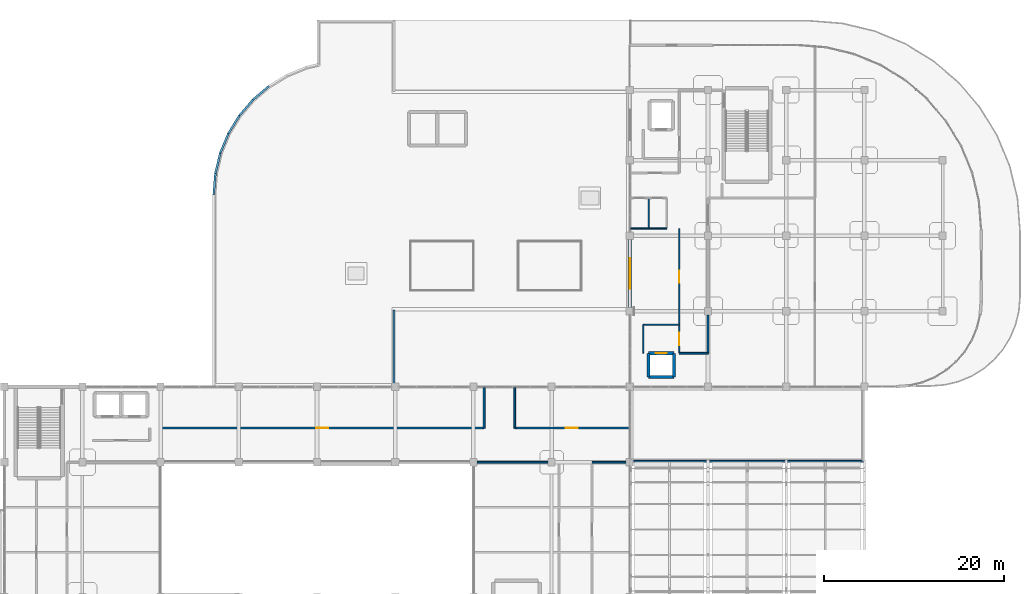
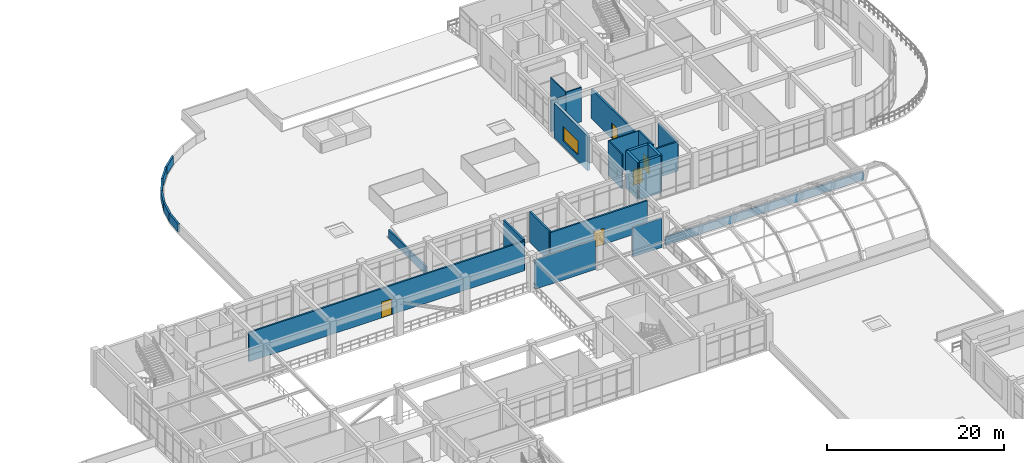
# One storey, part 108 of 124: 28 walls, 5 doors, 1 window, 6 openings.
"""IFC4 building model written with IfcOpenShell, lengths in metres."""

from ifc_helpers import new_model, si_unit, derived_unit, direction, frame, frame_2d, origin, place, context, subcontext, project, spatial, rectangle, extrude, material, layer, layer_set, type_object, element, fill, save


model = new_model("IFC4")

# Units and contexts
model_context = context("Model", 3, precision=1e-05, world=origin(), true_north=direction((0.0, 1.0)))
body_context = subcontext(model_context, "Body", "Model", "MODEL_VIEW")
ifc_project = project(units=[si_unit("LENGTHUNIT", "METRE"), si_unit("AREAUNIT", "SQUARE_METRE"), si_unit("VOLUMEUNIT", "CUBIC_METRE"), si_unit("PLANEANGLEUNIT", "RADIAN"), si_unit("MASSUNIT", "GRAM", prefix="KILO"), derived_unit("THERMALTRANSMITTANCEUNIT", [(si_unit("MASSUNIT", "GRAM", prefix="KILO"), 1), (si_unit("TIMEUNIT", "SECOND"), -3), (si_unit("THERMODYNAMICTEMPERATUREUNIT", "KELVIN"), -1)])], contexts=[model_context])

# Site, building, storey
site_placement = place(None, origin())
site = spatial("IfcSite", under=ifc_project, at=site_placement, CompositionType="ELEMENT")
building_placement = place(site_placement, origin())
building = spatial("IfcBuilding", under=site, at=building_placement, Name="Qinzheling Arcade Emporium", CompositionType="ELEMENT")
storey_placement = place(building_placement, frame((0.0, 0.0, 16.5)))
storey = spatial("IfcBuildingStorey", under=building, at=storey_placement, Name="L04", CompositionType="ELEMENT", Elevation=16.5)

# Wall, opening, door
ifc_material_1 = material(Name="Double-stud acoustic gypsum board partition")
ifc_layer_1 = layer(ifc_material_1, 0.215087890625, Name="Double-stud acoustic gypsum board partition")
ifc_layer_set_1 = layer_set([ifc_layer_1], Name="Double-stud acoustic gypsum board partition")
wall_type_1 = type_object("IfcWallType", Name="Acoustic Corridor Partition Wall 215", PredefinedType="PARTITIONING", material=ifc_layer_set_1)
wall_1_placement = place(storey_placement, frame((109.89990234375, 80.699951171875, 0.0), z_axis=(0.0, 0.0, 1.0), x_axis=(0.0, -1.0, 0.0)))
wall_1 = element("IfcWall", 1, at=wall_1_placement, inside=storey, type_object=wall_type_1, Name="Interior Wall WL-L04-INT-0604", PredefinedType="PARTITIONING", context=body_context, shape_type="SweptSolid", body=[
    extrude(rectangle(XDim=3.169921875, YDim=0.215087890625, at=frame_2d((1.5849609375, 0.0))), origin(), (0.0, 0.0, 1.0), 4.760009765625),
])
opening_1_placement = place(wall_1_placement, frame((0.909912109375, 0.0, 0.0)))
opening_1 = element("IfcOpeningElement", 2, at=opening_1_placement, cuts=wall_1, Name="Opening FD05", PredefinedType="OPENING", context=body_context, shape_type="SweptSolid", body=[
    extrude(rectangle(XDim=1.35009765625, YDim=2.199951171875, at=frame_2d((0.675048828125, 1.10009765625))), frame((0.0, 0.11767578125, 0.0), z_axis=(0.0, -1.0, 0.0), x_axis=(1.0, 0.0, 0.0)), (0.0, 0.0, 1.0), 0.235107421875),
])
ifc_material_2 = material(Name="Class B fire-rated stainless-clad door")
door_type_1 = type_object("IfcDoorType", Name="Kitchen Fire-Rated Service Door 1350x2200", OperationType="NOTDEFINED", PredefinedType="DOOR", material=ifc_material_2)
door_1_placement = place(opening_1_placement, origin())
door_1 = element("IfcDoor", 3, at=door_1_placement, inside=storey, type_object=door_type_1, Name="FD05 Interior Door DR-L04-INT-0169", OperationType="SINGLE_SWING_RIGHT", OverallHeight=2.199951171875, OverallWidth=1.35009765625, PredefinedType="DOOR", context=body_context, shape_type="SweptSolid", body=[
    extrude(rectangle(XDim=1.35009765625, YDim=2.199951171875, at=frame_2d((0.675048828125, 1.10009765625))), frame((0.0, 0.02490234375, 0.0), z_axis=(0.0, -1.0, 0.0), x_axis=(1.0, 0.0, 0.0)), (0.0, 0.0, 1.0), 0.050048828125),
])
fill(opening_1, door_1)

# Walls
wall_2_placement = place(storey_placement, frame((113.10009765625, 81.7900390625, 0.0), z_axis=(0.0, 0.0, 1.0), x_axis=(0.0, -1.0, 0.0)))
element("IfcWall", 4, at=wall_2_placement, inside=storey, type_object=wall_type_1, Name="Interior Wall WL-L04-INT-0629", PredefinedType="PARTITIONING", context=body_context, shape_type="SweptSolid", body=[
    extrude(rectangle(XDim=4.260009765625, YDim=0.215087890625, at=frame_2d((2.1298828125, 0.0))), origin(), (0.0, 0.0, 1.0), 4.074951171875),
])
wall_3_placement = place(storey_placement, frame((113.10009765625, 77.530029296875, 0.0), z_axis=(0.0, 0.0, 1.0), x_axis=(-1.0, 0.0, 0.0)))
element("IfcWall", 5, at=wall_3_placement, inside=storey, type_object=wall_type_1, Name="Interior Wall WL-L04-INT-0630", PredefinedType="PARTITIONING", context=body_context, shape_type="SweptSolid", body=[
    extrude(rectangle(XDim=3.2001953125, YDim=0.215087890625, at=frame_2d((1.60009765625, 0.0))), origin(), (0.0, 0.0, 1.0), 4.074951171875),
])

# Wall, opening, door
wall_4_placement = place(storey_placement, frame((109.89990234375, 80.699951171875, 0.0), z_axis=(0.0, 0.0, 1.0), x_axis=(0.0, 1.0, 0.0)))
wall_4 = element("IfcWall", 6, at=wall_4_placement, inside=storey, type_object=wall_type_1, Name="Interior Wall WL-L04-INT-0631", PredefinedType="PARTITIONING", context=body_context, shape_type="SweptSolid", body=[
    extrude(rectangle(XDim=10.699951171875, YDim=0.215087890625, at=frame_2d((5.35009765625, 0.0))), origin(), (0.0, 0.0, 1.0), 4.074951171875),
])
opening_2_placement = place(wall_4_placement, frame((4.675048828125, 0.0, 0.0)))
opening_2 = element("IfcOpeningElement", 7, at=opening_2_placement, cuts=wall_4, Name="Opening FD05", PredefinedType="OPENING", context=body_context, shape_type="SweptSolid", body=[
    extrude(rectangle(XDim=1.35009765625, YDim=2.199951171875, at=frame_2d((0.675048828125, 1.10009765625))), frame((0.0, 0.11767578125, 0.0), z_axis=(0.0, -1.0, 0.0), x_axis=(1.0, 0.0, 0.0)), (0.0, 0.0, 1.0), 0.235107421875),
])
door_2_placement = place(opening_2_placement, origin())
door_2 = element("IfcDoor", 8, at=door_2_placement, inside=storey, type_object=door_type_1, Name="FD05 Interior Door DR-L04-INT-0190", OperationType="SINGLE_SWING_LEFT", OverallHeight=2.199951171875, OverallWidth=1.35009765625, PredefinedType="DOOR", context=body_context, shape_type="SweptSolid", body=[
    extrude(rectangle(XDim=1.35009765625, YDim=2.199951171875, at=frame_2d((0.675048828125, 1.10009765625))), frame((0.0, 0.02490234375, 0.0), z_axis=(0.0, -1.0, 0.0), x_axis=(1.0, 0.0, 0.0)), (0.0, 0.0, 1.0), 0.050048828125),
])
fill(opening_2, door_2)

# Wall
wall_5_placement = place(storey_placement, frame((91.60009765625, 73.699951171875, 0.0), z_axis=(0.0, 0.0, 1.0), x_axis=(0.0, -1.0, 0.0)))
element("IfcWall", 9, at=wall_5_placement, inside=storey, type_object=wall_type_1, Name="Interior Wall WL-L04-INT-0664", PredefinedType="PARTITIONING", context=body_context, shape_type="SweptSolid", body=[
    extrude(rectangle(XDim=4.5, YDim=0.215087890625, at=frame_2d((2.25, 0.0))), origin(), (0.0, 0.0, 1.0), 4.260009765625),
])

# Wall, opening, door
wall_6_placement = place(storey_placement, frame((91.60009765625, 69.199951171875, 0.0), z_axis=(0.0, 0.0, 1.0), x_axis=(1.0, 0.0, 0.0)))
wall_6 = element("IfcWall", 10, at=wall_6_placement, inside=storey, type_object=wall_type_1, Name="Interior Wall WL-L04-INT-0665", PredefinedType="PARTITIONING", context=body_context, shape_type="SweptSolid", body=[
    extrude(rectangle(XDim=12.699951171875, YDim=0.215087890625, at=frame_2d((6.35009765625, 0.0))), origin(), (0.0, 0.0, 1.0), 4.06005859375),
])
opening_3_placement = place(wall_6_placement, frame((5.675048828125, 0.0, 0.0)))
opening_3 = element("IfcOpeningElement", 11, at=opening_3_placement, cuts=wall_6, Name="Opening FD05", PredefinedType="OPENING", context=body_context, shape_type="SweptSolid", body=[
    extrude(rectangle(XDim=1.35009765625, YDim=2.199951171875, at=frame_2d((0.675048828125, 1.10009765625))), frame((0.0, 0.11767578125, 0.0), z_axis=(0.0, -1.0, 0.0), x_axis=(1.0, 0.0, 0.0)), (0.0, 0.0, 1.0), 0.235107421875),
])
door_3_placement = place(opening_3_placement, origin())
door_3 = element("IfcDoor", 12, at=door_3_placement, inside=storey, type_object=door_type_1, Name="FD05 Interior Door DR-L04-INT-0184", OperationType="SINGLE_SWING_LEFT", OverallHeight=2.199951171875, OverallWidth=1.35009765625, PredefinedType="DOOR", context=body_context, shape_type="SweptSolid", body=[
    extrude(rectangle(XDim=1.35009765625, YDim=2.199951171875, at=frame_2d((0.675048828125, 1.10009765625))), frame((0.0, 0.02490234375, 0.0), z_axis=(0.0, -1.0, 0.0), x_axis=(1.0, 0.0, 0.0)), (0.0, 0.0, 1.0), 0.050048828125),
])
fill(opening_3, door_3)

wall_7_placement = place(storey_placement, frame((52.199951171875, 69.199951171875, 0.0), z_axis=(0.0, 0.0, 1.0), x_axis=(1.0, 0.0, 0.0)))
wall_7 = element("IfcWall", 13, at=wall_7_placement, inside=storey, type_object=wall_type_1, Name="Interior Wall WL-L04-INT-0666", PredefinedType="PARTITIONING", context=body_context, shape_type="SweptSolid", body=[
    extrude(rectangle(XDim=36.0, YDim=0.215087890625, at=frame_2d((18.0, 0.0))), origin(), (0.0, 0.0, 1.0), 4.06005859375),
])
opening_4_placement = place(wall_7_placement, frame((17.324951171875, 0.0, 0.0)))
opening_4 = element("IfcOpeningElement", 14, at=opening_4_placement, cuts=wall_7, Name="Opening FD05", PredefinedType="OPENING", context=body_context, shape_type="SweptSolid", body=[
    extrude(rectangle(XDim=1.35009765625, YDim=2.199951171875, at=frame_2d((0.675048828125, 1.10009765625))), frame((0.0, 0.11767578125, 0.0), z_axis=(0.0, -1.0, 0.0), x_axis=(1.0, 0.0, 0.0)), (0.0, 0.0, 1.0), 0.235107421875),
])
door_4_placement = place(opening_4_placement, origin())
door_4 = element("IfcDoor", 15, at=door_4_placement, inside=storey, type_object=door_type_1, Name="FD05 Interior Door DR-L04-INT-0185", OperationType="SINGLE_SWING_RIGHT", OverallHeight=2.199951171875, OverallWidth=1.35009765625, PredefinedType="DOOR", context=body_context, shape_type="SweptSolid", body=[
    extrude(rectangle(XDim=1.35009765625, YDim=2.199951171875, at=frame_2d((0.675048828125, 1.10009765625))), frame((0.0, 0.02490234375, 0.0), z_axis=(0.0, -1.0, 0.0), x_axis=(1.0, 0.0, 0.0)), (0.0, 0.0, 1.0), 0.050048828125),
])
fill(opening_4, door_4)

# Walls
wall_8_placement = place(storey_placement, frame((88.199951171875, 69.199951171875, 0.0), z_axis=(0.0, 0.0, 1.0), x_axis=(0.0, 1.0, 0.0)))
element("IfcWall", 16, at=wall_8_placement, inside=storey, type_object=wall_type_1, Name="Interior Wall WL-L04-INT-0667", PredefinedType="PARTITIONING", context=body_context, shape_type="SweptSolid", body=[
    extrude(rectangle(XDim=4.5, YDim=0.215087890625, at=frame_2d((2.25, 0.0))), origin(), (0.0, 0.0, 1.0), 4.260009765625),
])
wall_9_placement = place(storey_placement, frame((103.989990234375, 65.39990234375, 0.0), z_axis=(0.0, 0.0, 1.0), x_axis=(-1.0, 0.0, 0.0)))
element("IfcWall", 17, at=wall_9_placement, inside=storey, type_object=wall_type_1, Name="Interior Wall WL-L04-INT-0668", PredefinedType="PARTITIONING", context=body_context, shape_type="SweptSolid", body=[
    extrude(rectangle(XDim=3.7900390625, YDim=0.215087890625, at=frame_2d((1.89501953125, 0.0))), origin(), (0.0, 0.0, 1.0), 4.06005859375),
])
wall_10_placement = place(storey_placement, frame((95.2900390625, 65.39990234375, 0.0), z_axis=(0.0, 0.0, 1.0), x_axis=(-1.0, 0.0, 0.0)))
element("IfcWall", 18, at=wall_10_placement, inside=storey, type_object=wall_type_1, Name="Interior Wall WL-L04-INT-0673", PredefinedType="PARTITIONING", context=body_context, shape_type="SweptSolid", body=[
    extrude(rectangle(XDim=7.880126953125, YDim=0.215087890625, at=frame_2d((3.93994140625, 0.0))), origin(), (0.0, 0.0, 1.0), 4.06005859375),
])
ifc_material_3 = material(Name="Galvanised stud back-of-house partition")
ifc_layer_2 = layer(ifc_material_3, 0.1201171875, Name="Galvanised stud back-of-house partition")
ifc_layer_set_2 = layer_set([ifc_layer_2], Name="Galvanised stud back-of-house partition")
wall_type_2 = type_object("IfcWallType", Name="Back-of-House Partition Wall 120", PredefinedType="PARTITIONING", material=ifc_layer_set_2)
wall_11_placement = place(storey_placement, frame((105.89990234375, 80.699951171875, 0.0), z_axis=(0.0, 0.0, 1.0), x_axis=(1.0, 0.0, 0.0)))
element("IfcWall", 19, at=wall_11_placement, inside=storey, type_object=wall_type_2, Name="Interior Wall WL-L04-INT-0606", PredefinedType="PARTITIONING", context=body_context, shape_type="SweptSolid", body=[
    extrude(rectangle(XDim=4.0, YDim=0.1201171875, at=frame_2d((2.0, 0.0))), origin(), (0.0, 0.0, 1.0), 4.760009765625),
])

# Wall, opening, window
ifc_material_4 = material(Name="Fluted granite ashlar on Concrete C40", Category="masonry")
ifc_layer_3 = layer(ifc_material_4, 0.35009765625, Name="Fluted granite ashlar on Concrete C40", Category="masonry")
ifc_layer_set_3 = layer_set([ifc_layer_3], Name="Fluted granite ashlar on Concrete C40")
wall_type_3 = type_object("IfcWallType", Name="Fluted Granite Logistics Wall 350", PredefinedType="STANDARD", material=ifc_layer_set_3)
wall_12_placement = place(storey_placement, frame((104.39990234375, 82.60205078125, 0.0), z_axis=(0.0, 0.0, 1.0), x_axis=(0.0, 1.0, 0.0)))
wall_12 = element("IfcWall", 20, at=wall_12_placement, inside=storey, type_object=wall_type_3, Name="Exterior Wall WL-L04-EW-0240", PredefinedType="STANDARD", context=body_context, shape_type="SweptSolid", body=[
    extrude(rectangle(XDim=7.595947265625, YDim=0.35009765625, at=frame_2d((3.7978515625, 0.0))), origin(), (0.0, 0.0, 1.0), 4.7900390625),
])
opening_5_placement = place(wall_12_placement, frame((2.097900390625, 0.0, 0.85009765625)))
opening_5 = element("IfcOpeningElement", 21, at=opening_5_placement, cuts=wall_12, Name="Opening WN32", PredefinedType="OPENING", context=body_context, shape_type="SweptSolid", body=[
    extrude(rectangle(XDim=3.39990234375, YDim=2.0, at=frame_2d((1.699951171875, 1.0))), frame((0.0, 0.18505859375, 0.0), z_axis=(0.0, -1.0, 0.0), x_axis=(1.0, 0.0, 0.0)), (0.0, 0.0, 1.0), 0.3701171875),
])
ifc_material_5 = material(Name="Thermally broken aluminium frame with solar-control double glazing", Category="aluminium")
window_type = type_object("IfcWindowType", Name="Chicago Tripartite Window 3400x2000", PartitioningType="TRIPLE_PANEL_VERTICAL", PredefinedType="WINDOW", material=ifc_material_5)
window_placement = place(opening_5_placement, origin())
window = element("IfcWindow", 22, at=window_placement, inside=storey, type_object=window_type, Name="WN32 Window WN-L04-0063", OverallHeight=2.0, OverallWidth=3.39990234375, PartitioningType="TRIPLE_PANEL_VERTICAL", PredefinedType="WINDOW", context=body_context, shape_type="SweptSolid", body=[
    extrude(rectangle(XDim=3.39990234375, YDim=2.0, at=frame_2d((1.699951171875, 1.0))), frame((0.0, 0.030029296875, 0.0), z_axis=(0.0, -1.0, 0.0), x_axis=(1.0, 0.0, 0.0)), (0.0, 0.0, 1.0), 0.06005859375),
])
fill(opening_5, window)

# Walls
ifc_material_6 = material(Name="Precast concrete C40", Category="concrete")
ifc_layer_4 = layer(ifc_material_6, 0.22998046875, Name="Precast concrete C40", Category="concrete")
ifc_layer_set_4 = layer_set([ifc_layer_4], Name="Precast concrete C40")
wall_type_4 = type_object("IfcWallType", Name="Logistics Acoustic Roof Parapet 230", PredefinedType="PARAPET", material=ifc_layer_set_4)
wall_13_placement = place(storey_placement, frame((58.114990234375, 95.195068359375, 0.0), z_axis=(0.0, 0.0, 1.0), x_axis=(0.078626124202, 0.996904174228, 0.0)))
element("IfcWall", 23, at=wall_13_placement, inside=storey, type_object=wall_type_4, Name="Roof Parapet WL-L04-PW-014", PredefinedType="PARAPET", context=body_context, shape_type="SweptSolid", body=[
    extrude(rectangle(XDim=2.34130859375, YDim=0.22998046875, at=frame_2d((1.170654296875, 0.0))), origin(), (0.0, 0.0, 1.0), 1.14990234375),
])
wall_14_placement = place(storey_placement, frame((58.299072265625, 97.529052734375, 0.0), z_axis=(0.0, 0.0, 1.0), x_axis=(0.233420416209, 0.972375909459, 0.0)))
element("IfcWall", 24, at=wall_14_placement, inside=storey, type_object=wall_type_4, Name="Roof Parapet WL-L04-PW-015", PredefinedType="PARAPET", context=body_context, shape_type="SweptSolid", body=[
    extrude(rectangle(XDim=2.33447265625, YDim=0.22998046875, at=frame_2d((1.167236328125, 0.0))), origin(), (0.0, 0.0, 1.0), 1.14990234375),
])
wall_15_placement = place(storey_placement, frame((58.843994140625, 99.799072265625, 0.0), z_axis=(0.0, 0.0, 1.0), x_axis=(0.382604014325, 0.923912424542, 0.0)))
element("IfcWall", 25, at=wall_15_placement, inside=storey, type_object=wall_type_4, Name="Roof Parapet WL-L04-PW-016", PredefinedType="PARAPET", context=body_context, shape_type="SweptSolid", body=[
    extrude(rectangle(XDim=2.336669921875, YDim=0.22998046875, at=frame_2d((1.16845703125, 0.0))), origin(), (0.0, 0.0, 1.0), 1.14990234375),
])
wall_16_placement = place(storey_placement, frame((59.738037109375, 101.9580078125, 0.0), z_axis=(0.0, 0.0, 1.0), x_axis=(0.522468887207, 0.852658350045, 0.0)))
element("IfcWall", 26, at=wall_16_placement, inside=storey, type_object=wall_type_4, Name="Roof Parapet WL-L04-PW-017", PredefinedType="PARAPET", context=body_context, shape_type="SweptSolid", body=[
    extrude(rectangle(XDim=2.3349609375, YDim=0.22998046875, at=frame_2d((1.16748046875, 0.0))), origin(), (0.0, 0.0, 1.0), 1.14990234375),
])
wall_17_placement = place(storey_placement, frame((60.9580078125, 103.948974609375, 0.0), z_axis=(0.0, 0.0, 1.0), x_axis=(0.649482073262, 0.760376904246, 0.0)))
element("IfcWall", 27, at=wall_17_placement, inside=storey, type_object=wall_type_4, Name="Roof Parapet WL-L04-PW-018", PredefinedType="PARAPET", context=body_context, shape_type="SweptSolid", body=[
    extrude(rectangle(XDim=2.3359375, YDim=0.22998046875, at=frame_2d((1.16796875, 0.0))), origin(), (0.0, 0.0, 1.0), 1.14990234375),
])
wall_18_placement = place(storey_placement, frame((62.47509765625, 105.72509765625, 0.0), z_axis=(0.0, 0.0, 1.0), x_axis=(0.760384433214, 0.649473258669, 0.0)))
element("IfcWall", 28, at=wall_18_placement, inside=storey, type_object=wall_type_4, Name="Roof Parapet WL-L04-PW-019", PredefinedType="PARAPET", context=body_context, shape_type="SweptSolid", body=[
    extrude(rectangle(XDim=2.33544921875, YDim=0.22998046875, at=frame_2d((1.167724609375, 0.0))), origin(), (0.0, 0.0, 1.0), 1.14990234375),
])
wall_19_placement = place(storey_placement, frame((78.18505859375, 82.364990234375, 0.0), z_axis=(0.0, 0.0, 1.0), x_axis=(0.0, -1.0, 0.0)))
element("IfcWall", 29, at=wall_19_placement, inside=storey, type_object=wall_type_4, Name="Roof Parapet WL-L04-PW-026", PredefinedType="PARAPET", context=body_context, shape_type="SweptSolid", body=[
    extrude(rectangle(XDim=8.449951171875, YDim=0.22998046875, at=frame_2d((4.22509765625, 0.0))), origin(), (0.0, 0.0, 1.0), 1.14990234375),
])
ifc_material_7 = material(Name="Moisture-resistant shaftliner gypsum board")
ifc_layer_5 = layer(ifc_material_7, 0.155029296875, Name="Moisture-resistant shaftliner gypsum board")
ifc_layer_set_5 = layer_set([ifc_layer_5], Name="Moisture-resistant shaftliner gypsum board")
wall_type_5 = type_object("IfcWallType", Name="Plumbing and Service Riser Wall 155", PredefinedType="MOVABLE", material=ifc_layer_set_5)
wall_20_placement = place(storey_placement, frame((106.5, 91.39990234375, 0.0), z_axis=(0.0, 0.0, 1.0), x_axis=(-1.0, 0.0, 0.0)))
element("IfcWall", 30, at=wall_20_placement, inside=storey, type_object=wall_type_5, Name="Interior Wall WL-L04-INT-0619", PredefinedType="MOVABLE", context=body_context, shape_type="SweptSolid", body=[
    extrude(rectangle(XDim=2.0, YDim=0.155029296875, at=frame_2d((1.0, 0.0))), origin(), (0.0, 0.0, 1.0), 4.27490234375),
])

# Wall, opening, door
ifc_material_8 = material(Name="Concrete C40", Category="concrete")
ifc_layer_6 = layer(ifc_material_8, 0.35009765625, Name="Concrete C40", Category="concrete")
ifc_layer_set_6 = layer_set([ifc_layer_6], Name="Concrete C40")
wall_type_6 = type_object("IfcWallType", Name="RC Lift Shaft Shear Wall 350 C40", PredefinedType="SHEAR", material=ifc_layer_set_6)
wall_21_placement = place(storey_placement, frame((106.47509765625, 77.52490234375, 0.0), z_axis=(0.0, 0.0, 1.0), x_axis=(1.0, 0.0, 0.0)))
wall_21 = element("IfcWall", 31, at=wall_21_placement, inside=storey, type_object=wall_type_6, Name="Lift Shaft Wall WL-L04-LFT-LP06-N", PredefinedType="SHEAR", context=body_context, shape_type="SweptSolid", body=[
    extrude(rectangle(XDim=2.849853515625, YDim=0.35009765625, at=frame_2d((1.4248046875, 0.0))), origin(), (0.0, 0.0, 1.0), 5.10009765625),
])
opening_6_placement = place(wall_21_placement, frame((0.824951171875, 0.0, 0.0)))
opening_6 = element("IfcOpeningElement", 32, at=opening_6_placement, cuts=wall_21, Name="Opening LD02", PredefinedType="OPENING", context=body_context, shape_type="SweptSolid", body=[
    extrude(rectangle(XDim=1.199951171875, YDim=2.199951171875, at=frame_2d((0.60009765625, 1.10009765625))), frame((0.0, 0.18505859375, 0.0), z_axis=(0.0, -1.0, 0.0), x_axis=(1.0, 0.0, 0.0)), (0.0, 0.0, 1.0), 0.3701171875),
])
ifc_material_9 = material(Name="Brushed bronze stainless sliding lift door")
door_type_2 = type_object("IfcDoorType", Name="Passenger Lift Sliding Landing Door 1200x2200", OperationType="DOUBLE_DOOR_SLIDING", PredefinedType="DOOR", material=ifc_material_9)
door_5_placement = place(opening_6_placement, origin())
door_5 = element("IfcDoor", 33, at=door_5_placement, inside=storey, type_object=door_type_2, Name="LD02 Lift Landing Door LP06 L04", OperationType="DOUBLE_DOOR_SLIDING", OverallHeight=2.199951171875, OverallWidth=1.199951171875, PredefinedType="DOOR", context=body_context, shape_type="SweptSolid", body=[
    extrude(rectangle(XDim=1.199951171875, YDim=2.199951171875, at=frame_2d((0.60009765625, 1.10009765625))), frame((0.0, 0.02490234375, 0.0), z_axis=(0.0, -1.0, 0.0), x_axis=(1.0, 0.0, 0.0)), (0.0, 0.0, 1.0), 0.050048828125),
])
fill(opening_6, door_5)

# Walls
wall_22_placement = place(storey_placement, frame((109.324951171875, 74.875, 0.0), z_axis=(0.0, 0.0, 1.0), x_axis=(-1.0, 0.0, 0.0)))
element("IfcWall", 34, at=wall_22_placement, inside=storey, type_object=wall_type_6, Name="Lift Shaft Wall WL-L04-LFT-LP06-S", PredefinedType="SHEAR", context=body_context, shape_type="SweptSolid", body=[
    extrude(rectangle(XDim=2.849853515625, YDim=0.35009765625, at=frame_2d((1.4248046875, 0.0))), origin(), (0.0, 0.0, 1.0), 5.10009765625),
])
for number, where, z_axis, x_axis, name in (
    (35, (106.47509765625, 74.875, 0.0), (0.0, 0.0, 1.0), (0.0, 1.0, 0.0), "Lift Shaft Wall WL-L04-LFT-LP06-W"),
    (36, (109.324951171875, 77.52490234375, 0.0), (0.0, 0.0, 1.0), (0.0, -1.0, 0.0), "Lift Shaft Wall WL-L04-LFT-LP06-E"),
):
    element("IfcWall", number, at=place(storey_placement, frame(where, z_axis=z_axis, x_axis=x_axis)), inside=storey, type_object=wall_type_6, Name=name, PredefinedType="SHEAR", context=body_context, shape_type="SweptSolid", body=[
        extrude(rectangle(XDim=2.64990234375, YDim=0.35009765625, at=frame_2d((1.324951171875, 0.0))), origin(), (0.0, 0.0, 1.0), 5.10009765625),
    ])
ifc_material_10 = material(Name="Moisture-resistant tea room partition")
ifc_layer_7 = layer(ifc_material_10, 0.1298828125, Name="Moisture-resistant tea room partition")
ifc_layer_set_7 = layer_set([ifc_layer_7], Name="Moisture-resistant tea room partition")
wall_type_7 = type_object("IfcWallType", Name="Tea Room Partition Wall 130", PredefinedType="PARTITIONING", material=ifc_layer_set_7)
wall_23_placement = place(storey_placement, frame((105.89990234375, 77.530029296875, 0.0), z_axis=(0.0, 0.0, 1.0), x_axis=(0.0, 1.0, 0.0)))
element("IfcWall", 37, at=wall_23_placement, inside=storey, type_object=wall_type_7, Name="Interior Wall WL-L04-INT-0605", PredefinedType="PARTITIONING", context=body_context, shape_type="SweptSolid", body=[
    extrude(rectangle(XDim=3.169921875, YDim=0.1298828125, at=frame_2d((1.5849609375, 0.0))), origin(), (0.0, 0.0, 1.0), 4.760009765625),
])
ifc_material_11 = material(Name="Precast concrete C40 with terracotta coping", Category="masonry")
ifc_layer_8 = layer(ifc_material_11, 0.219970703125, Name="Precast concrete C40 with terracotta coping", Category="masonry")
ifc_layer_set_8 = layer_set([ifc_layer_8], Name="Precast concrete C40 with terracotta coping")
wall_type_8 = type_object("IfcWallType", Name="Terracotta Coping Roof Parapet 220", PredefinedType="PARAPET", material=ifc_layer_set_8)
wall_24_placement = place(storey_placement, frame((130.389892578125, 65.510009765625, 0.0), z_axis=(0.0, 0.0, 1.0), x_axis=(-1.0, 0.0, 0.0)))
element("IfcWall", 38, at=wall_24_placement, inside=storey, type_object=wall_type_8, Name="Roof Parapet WL-L04-PW-033", PredefinedType="PARAPET", context=body_context, shape_type="SweptSolid", body=[
    extrude(rectangle(XDim=25.8798828125, YDim=0.219970703125, at=frame_2d((12.93994140625, 0.0))), origin(), (0.0, 0.0, 1.0), 1.14990234375),
])
ifc_material_12 = material(Name="Moisture-resistant cement-board WC partition")
ifc_layer_9 = layer(ifc_material_12, 0.14501953125, Name="Moisture-resistant cement-board WC partition")
ifc_layer_set_9 = layer_set([ifc_layer_9], Name="Moisture-resistant cement-board WC partition")
wall_type_9 = type_object("IfcWallType", Name="Washroom Moisture Partition Wall 145", PredefinedType="PARTITIONING", material=ifc_layer_set_9)
wall_25_placement = place(storey_placement, frame((106.5, 94.800048828125, 0.0), z_axis=(0.0, 0.0, 1.0), x_axis=(0.0, -1.0, 0.0)))
element("IfcWall", 39, at=wall_25_placement, inside=storey, type_object=wall_type_9, Name="Interior Wall WL-L04-INT-0617", PredefinedType="PARTITIONING", context=body_context, shape_type="SweptSolid", body=[
    extrude(rectangle(XDim=3.400146484375, YDim=0.14501953125, at=frame_2d((1.7001953125, 0.0))), origin(), (0.0, 0.0, 1.0), 4.760009765625),
])
wall_26_placement = place(storey_placement, frame((108.5, 91.39990234375, 0.0), z_axis=(0.0, 0.0, 1.0), x_axis=(-1.0, 0.0, 0.0)))
element("IfcWall", 40, at=wall_26_placement, inside=storey, type_object=wall_type_9, Name="Interior Wall WL-L04-INT-0621", PredefinedType="PARTITIONING", context=body_context, shape_type="SweptSolid", body=[
    extrude(rectangle(XDim=2.0, YDim=0.14501953125, at=frame_2d((1.0, 0.0))), origin(), (0.0, 0.0, 1.0), 4.760009765625),
])

save(model, "model.ifc")
